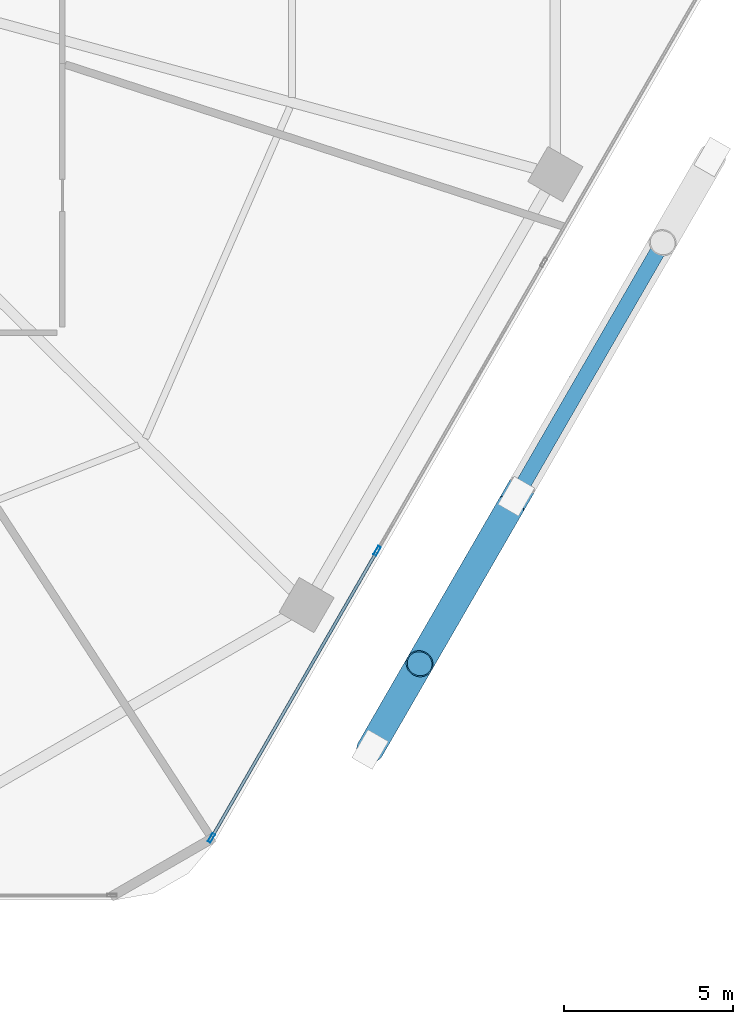
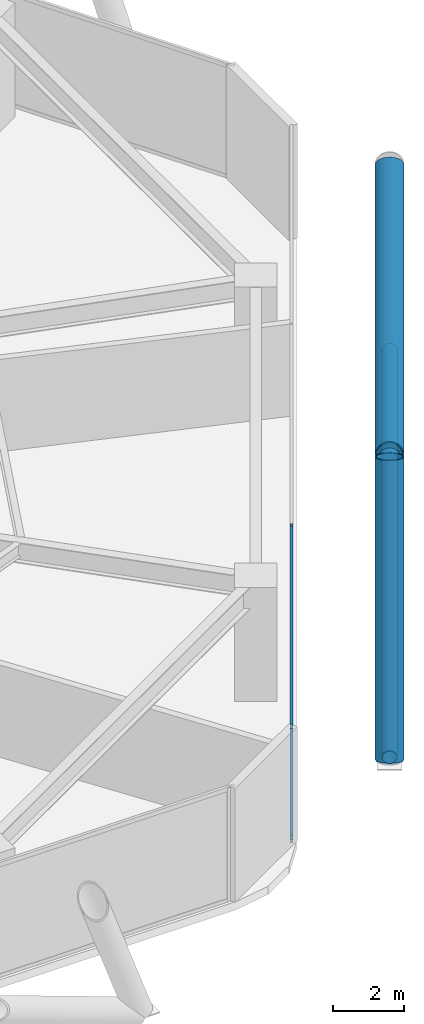
# One storey, part 9 of 28: 8 members, 1 element without a shape of its own.
"""IFC4 building model written with IfcOpenShell, lengths in metres."""

from ifc_helpers import new_model, si_unit, direction, frame, origin, origin_2d, place, context, subcontext, project, spatial, hollow_rectangle, hollow_circle, extrude, material, material_profile, profile_set, type_object, element, aggregate, save


model = new_model("IFC4")

# Units and contexts
model_context = context("Model", 3, precision=1e-05, world=origin(), true_north=direction((0.0, 1.0)))
body_context = subcontext(model_context, "Body", "Model", "MODEL_VIEW")
ifc_project = project(units=[si_unit("LENGTHUNIT", "METRE"), si_unit("AREAUNIT", "SQUARE_METRE"), si_unit("VOLUMEUNIT", "CUBIC_METRE"), si_unit("PLANEANGLEUNIT", "RADIAN"), si_unit("MASSUNIT", "GRAM", prefix="KILO")], contexts=[model_context])

# Site, building, storey
site_placement = place(None, origin())
site = spatial("IfcSite", under=ifc_project, at=site_placement, CompositionType="ELEMENT")
building_placement = place(site_placement, origin())
building = spatial("IfcBuilding", under=site, at=building_placement, Name="Zuhravey Tower", CompositionType="ELEMENT")
storey_placement = place(building_placement, frame((0.0, 0.0, 24.60009765625)))
storey = spatial("IfcBuildingStorey", under=building, at=storey_placement, Name="L06", CompositionType="ELEMENT", Elevation=24.60009765625)

# Curtain wall, members
ifc_material_1 = material(Name="Thermally broken anodised aluminium", Category="aluminium")
curtain_wall_type = type_object("IfcCurtainWallType", Name="School Low-E Unitised Curtain Wall CW1", PredefinedType="NOTDEFINED", material=ifc_material_1)
curtain_wall_placement = place(storey_placement, origin())
curtain_wall = element("IfcCurtainWall", 1, at=curtain_wall_placement, inside=storey, type_object=curtain_wall_type, Name="L06 CW1 CW-L06-F6-1", PredefinedType="NOTDEFINED")
ifc_material_2 = material(Name="Anodised aluminium", Category="aluminium")
ifc_material_profile_1 = material_profile(ifc_material_2, hollow_rectangle(XDim=0.090087890625, YDim=0.284912109375, WallThickness=0.0048828125, at=origin_2d()), Name="ALU-RHS-90x285x5")
ifc_profile_set_1 = profile_set([ifc_material_profile_1], Name="Anodised aluminium")
member_type_1 = type_object("IfcMemberType", Name="Curtain-Wall Mullion 90x180", PredefinedType="MULLION", material=ifc_profile_set_1)
member_1_placement = place(storey_placement, frame((58.612060546875, 13.24853515625, 0.0), z_axis=(0.0, 0.0, 1.0), x_axis=(0.86602552265, -0.499999794119, 0.0)))
member_1 = element("IfcMember", 2, at=member_1_placement, type_object=member_type_1, Name="CW1 mullion 3", PredefinedType="MULLION", context=body_context, shape_type="SweptSolid", body=[
    extrude(hollow_rectangle(XDim=0.090087890625, YDim=0.284912109375, WallThickness=0.0048828125, at=origin_2d()), origin(), (0.0, 0.0, 1.0), 3.919921875),
])
member_2_placement = place(storey_placement, frame((53.701416015625, 4.742919921875, 0.0), z_axis=(0.0, 0.0, 1.0), x_axis=(0.86602552265, -0.499999794119, 0.0)))
member_2 = element("IfcMember", 3, at=member_2_placement, type_object=member_type_1, Name="CW1 mullion 4", PredefinedType="MULLION", context=body_context, shape_type="SweptSolid", body=[
    extrude(hollow_rectangle(XDim=0.090087890625, YDim=0.284912109375, WallThickness=0.0048828125, at=origin_2d()), origin(), (0.0, 0.0, 1.0), 3.919921875),
])
ifc_material_profile_2 = material_profile(ifc_material_2, hollow_rectangle(XDim=0.090087890625, YDim=0.14990234375, WallThickness=0.0048828125, at=origin_2d()), Name="ALU-RHS-90x150x5")
ifc_profile_set_2 = profile_set([ifc_material_profile_2], Name="Anodised aluminium")
member_type_2 = type_object("IfcMemberType", Name="Curtain-Wall Transom 90x150", PredefinedType="USERDEFINED", material=ifc_profile_set_2)
member_3_placement = place(storey_placement, frame((58.589599609375, 13.20947265625, 0.044921875), z_axis=(-0.499989576763, -0.86603142156, 0.0), x_axis=(0.86603142156, -0.499989576763, 0.0)))
member_3 = element("IfcMember", 4, at=member_3_placement, type_object=member_type_2, Name="CW1 transom 3.1", ObjectType="TRANSOM", PredefinedType="USERDEFINED", context=body_context, shape_type="SweptSolid", body=[
    extrude(hollow_rectangle(XDim=0.090087890625, YDim=0.14990234375, WallThickness=0.0048828125, at=origin_2d()), origin(), (0.0, 0.0, 1.0), 9.731201171875),
])
member_4_placement = place(storey_placement, frame((58.589599609375, 13.20947265625, 3.875), z_axis=(-0.499989576763, -0.86603142156, 0.0), x_axis=(0.86603142156, -0.499989576763, 0.0)))
member_4 = element("IfcMember", 5, at=member_4_placement, type_object=member_type_2, Name="CW1 transom 3.2", ObjectType="TRANSOM", PredefinedType="USERDEFINED", context=body_context, shape_type="SweptSolid", body=[
    extrude(hollow_rectangle(XDim=0.090087890625, YDim=0.14990234375, WallThickness=0.0048828125, at=origin_2d()), origin(), (0.0, 0.0, 1.0), 9.731201171875),
])
aggregate(curtain_wall, [member_1, member_2, member_3, member_4])

# Members
ifc_material_3 = material(Name="Steel SM355", Category="steel")
ifc_material_profile_3 = material_profile(ifc_material_3, hollow_circle(Radius=0.228515625, WallThickness=0.02197265625, at=origin_2d()), Name="CHS-457.2x22")
ifc_profile_set_3 = profile_set([ifc_material_profile_3], Name="Steel SM355")
member_type_3 = type_object("IfcMemberType", Name="Exoskeleton Ring Tie CHS457x22", PredefinedType="CHORD", material=ifc_profile_set_3)
member_5_placement = place(storey_placement, frame((58.470703125, 7.483154296875, -0.494140625), z_axis=(0.499987058157, 0.866032875632, 0.0), x_axis=(-0.866032875632, 0.499987058157, 0.0)))
element("IfcMember", 6, at=member_5_placement, inside=storey, type_object=member_type_3, Name="L06 Exoskeleton Face 6 Tie EXR1", PredefinedType="CHORD", context=body_context, shape_type="SweptSolid", body=[
    extrude(hollow_circle(Radius=0.228515625, WallThickness=0.02197265625, at=origin_2d()), origin(), (0.0, 0.0, 1.0), 19.99365234375),
])
ifc_material_4 = material(Name="Steel SM460", Category="steel")
ifc_material_profile_4 = material_profile(ifc_material_4, hollow_circle(Radius=0.406494140625, WallThickness=0.035888671875, at=origin_2d()), Name="CHS-812.8x36")
ifc_profile_set_4 = profile_set([ifc_material_profile_4], Name="Steel SM460")
member_type_4 = type_object("IfcMemberType", Name="Exoskeleton Zone 1 Diagrid CHS813x36", PredefinedType="BRACE", material=ifc_profile_set_4)
member_6_placement = place(storey_placement, frame((58.404541015625, 7.36865234375, -0.47216796875), z_axis=(0.165307317227, 0.286358046605, 0.943754501984), x_axis=(-0.866053660865, 0.499951054106, 0.0)))
element("IfcMember", 7, at=member_6_placement, inside=storey, type_object=member_type_4, Name="L06 Face 6 Diagrid Brace 1", PredefinedType="BRACE", context=body_context, shape_type="SweptSolid", body=[
    extrude(hollow_circle(Radius=0.406494140625, WallThickness=0.035888671875, at=origin_2d()), origin(), (0.0, 0.0, 1.0), 8.85400390625),
])
member_7_placement = place(storey_placement, frame((58.42333984375, 7.4013671875, -0.47216796875), z_axis=(0.449932637588, 0.779312332372, 0.436156978902), x_axis=(-0.866027110715, 0.499997043497, 0.0)))
element("IfcMember", 8, at=member_7_placement, inside=storey, type_object=member_type_4, Name="L06 Face 6 Diagrid Brace 2", PredefinedType="BRACE", context=body_context, shape_type="SweptSolid", body=[
    extrude(hollow_circle(Radius=0.406494140625, WallThickness=0.035888671875, at=origin_2d()), origin(), (0.0, 0.0, 1.0), 19.158203125),
])
member_8_placement = place(storey_placement, frame((62.573486328125, 14.589599609375, 3.9404296875), z_axis=(-0.403092056741, -0.69816190232, 0.59168129254), x_axis=(0.866021056018, -0.500007530476, 0.0)))
element("IfcMember", 9, at=member_8_placement, inside=storey, type_object=member_type_4, Name="L06 Face 6 Split Diagrid Brace 3B", PredefinedType="BRACE", context=body_context, shape_type="SweptSolid", body=[
    extrude(hollow_circle(Radius=0.406494140625, WallThickness=0.035888671875, at=origin_2d()), origin(), (0.0, 0.0, 1.0), 6.6513671875),
])

save(model, "model.ifc")
